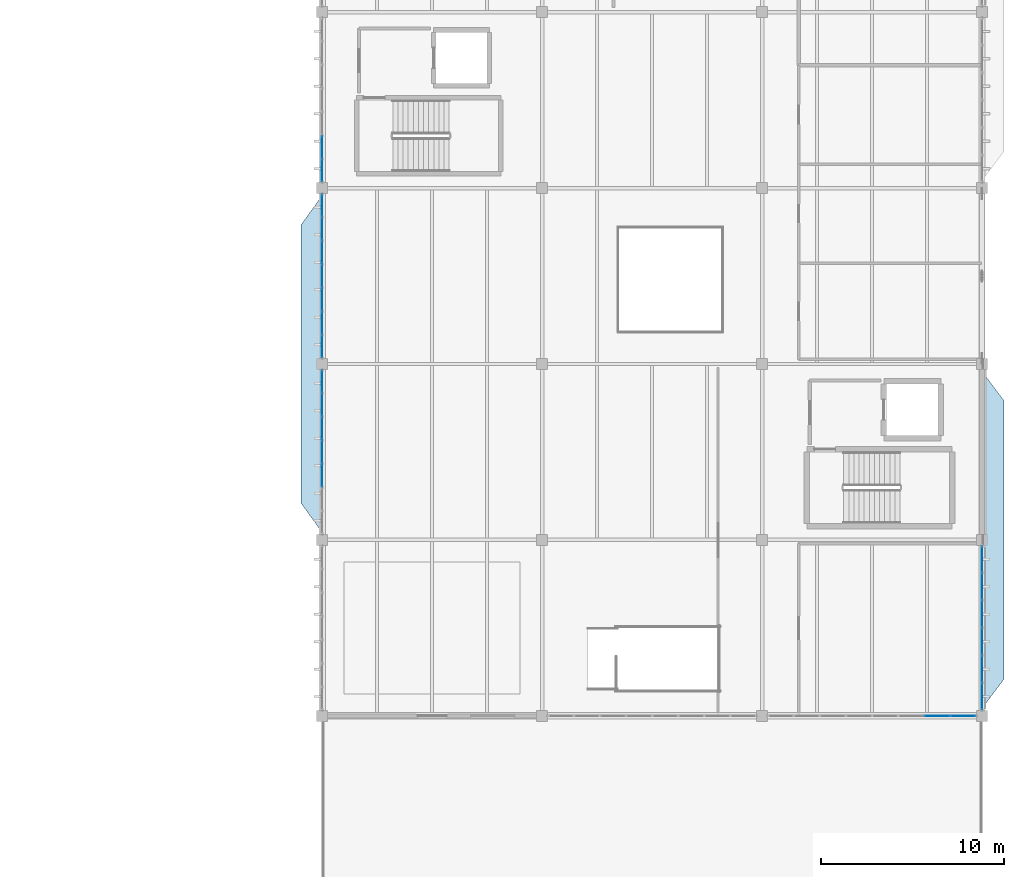
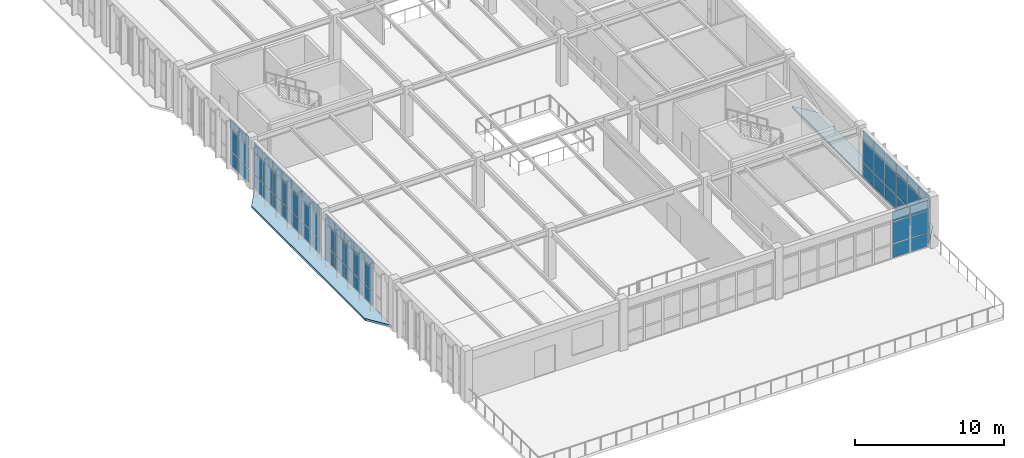
# One storey, part 64 of 83: 66 plates, 2 slabs, 5 elements without a shape of their own.
"""IFC4 building model written with IfcOpenShell, lengths in metres."""

from ifc_helpers import new_model, si_unit, direction, frame, origin, origin_2d, place, context, subcontext, project, spatial, polyline, rectangle, outline, extrude, material, layer, layer_set, type_object, element, aggregate, save


model = new_model("IFC4")

# Units and contexts
model_context = context("Model", 3, precision=1e-05, world=origin(), true_north=direction((0.0, 1.0)))
body_context = subcontext(model_context, "Body", "Model", "MODEL_VIEW")
ifc_project = project(units=[si_unit("LENGTHUNIT", "METRE"), si_unit("AREAUNIT", "SQUARE_METRE"), si_unit("VOLUMEUNIT", "CUBIC_METRE"), si_unit("PLANEANGLEUNIT", "RADIAN"), si_unit("MASSUNIT", "GRAM", prefix="KILO")], contexts=[model_context])

# Site, building, storey
site_placement = place(None, origin())
site = spatial("IfcSite", under=ifc_project, at=site_placement, CompositionType="ELEMENT")
building_placement = place(site_placement, origin())
building = spatial("IfcBuilding", under=site, at=building_placement, Name="Pandanus Reach Market Hall", CompositionType="ELEMENT")
storey_placement = place(building_placement, frame((0.0, 0.0, 10.199951171875)))
storey = spatial("IfcBuildingStorey", under=building, at=storey_placement, Name="L02", CompositionType="ELEMENT", Elevation=10.199951171875)

# Curtain wall, plates
ifc_material_1 = material(Name="Bronze anodised aluminium and low-E glass", Category="aluminium")
ifc_layer_1 = layer(ifc_material_1, 0.159912109375, Name="CW-30")
ifc_layer_set_1 = layer_set([ifc_layer_1], Name="Bronze anodised aluminium and low-E glass")
curtain_wall_type_1 = type_object("IfcCurtainWallType", Name="CW-30", PredefinedType="NOTDEFINED", material=ifc_layer_set_1)
curtain_wall_1_placement = place(storey_placement, origin())
curtain_wall_1 = element("IfcCurtainWall", 1, at=curtain_wall_1_placement, inside=storey, type_object=curtain_wall_type_1, Name="Glazed curtain wall CW-30 CW-0101", PredefinedType="NOTDEFINED")
ifc_material_2 = material(Name="Solar-control double glazing", Category="glass")
ifc_layer_2 = layer(ifc_material_2, 0.028076171875, Name="CW-P1")
ifc_layer_set_2 = layer_set([ifc_layer_2], Name="Solar-control double glazing")
plate_type = type_object("IfcPlateType", Name="CW-P1", PredefinedType="CURTAIN_PANEL", material=ifc_layer_set_2)
plate_1_placement = place(storey_placement, frame((177.5625, 19.199951171875, 0.06494140625), z_axis=(0.0, 0.0, 1.0), x_axis=(1.0, 0.0, 0.0)))
plate_1 = element("IfcPlate", 2, at=plate_1_placement, type_object=plate_type, Name="CW-30 panel 7.1", PredefinedType="CURTAIN_PANEL", context=body_context, shape_type="SweptSolid", body=[
    extrude(rectangle(XDim=1.360107421875, YDim=0.028076171875, at=origin_2d()), origin(), (0.0, 0.0, 1.0), 1.1025390625),
])
plate_2_placement = place(storey_placement, frame((177.5625, 19.199951171875, 1.232421875), z_axis=(0.0, 0.0, 1.0), x_axis=(1.0, 0.0, 0.0)))
plate_2 = element("IfcPlate", 3, at=plate_2_placement, type_object=plate_type, Name="CW-30 panel 7.2", PredefinedType="CURTAIN_PANEL", context=body_context, shape_type="SweptSolid", body=[
    extrude(rectangle(XDim=1.360107421875, YDim=0.028076171875, at=origin_2d()), origin(), (0.0, 0.0, 1.0), 1.735107421875),
])
plate_3_placement = place(storey_placement, frame((177.5625, 19.199951171875, 3.03271484375), z_axis=(0.0, 0.0, 1.0), x_axis=(1.0, 0.0, 0.0)))
plate_3 = element("IfcPlate", 4, at=plate_3_placement, type_object=plate_type, Name="CW-30 panel 7.3", PredefinedType="CURTAIN_PANEL", context=body_context, shape_type="SweptSolid", body=[
    extrude(rectangle(XDim=1.360107421875, YDim=0.028076171875, at=origin_2d()), origin(), (0.0, 0.0, 1.0), 0.802490234375),
])
plate_4_placement = place(storey_placement, frame((178.97119140625, 19.199951171875, 0.06494140625), z_axis=(0.0, 0.0, 1.0), x_axis=(1.0, 0.0, 0.0)))
plate_4 = element("IfcPlate", 5, at=plate_4_placement, type_object=plate_type, Name="CW-30 panel 8.1", PredefinedType="CURTAIN_PANEL", context=body_context, shape_type="SweptSolid", body=[
    extrude(rectangle(XDim=1.327392578125, YDim=0.028076171875, at=origin_2d()), origin(), (0.0, 0.0, 1.0), 1.1025390625),
])
plate_5_placement = place(storey_placement, frame((178.97119140625, 19.199951171875, 1.232421875), z_axis=(0.0, 0.0, 1.0), x_axis=(1.0, 0.0, 0.0)))
plate_5 = element("IfcPlate", 6, at=plate_5_placement, type_object=plate_type, Name="CW-30 panel 8.2", PredefinedType="CURTAIN_PANEL", context=body_context, shape_type="SweptSolid", body=[
    extrude(rectangle(XDim=1.327392578125, YDim=0.028076171875, at=origin_2d()), origin(), (0.0, 0.0, 1.0), 1.735107421875),
])
plate_6_placement = place(storey_placement, frame((178.97119140625, 19.199951171875, 3.03271484375), z_axis=(0.0, 0.0, 1.0), x_axis=(1.0, 0.0, 0.0)))
plate_6 = element("IfcPlate", 7, at=plate_6_placement, type_object=plate_type, Name="CW-30 panel 8.3", PredefinedType="CURTAIN_PANEL", context=body_context, shape_type="SweptSolid", body=[
    extrude(rectangle(XDim=1.327392578125, YDim=0.028076171875, at=origin_2d()), origin(), (0.0, 0.0, 1.0), 0.802490234375),
])
aggregate(curtain_wall_1, [plate_1, plate_2, plate_3, plate_4, plate_5, plate_6])

ifc_layer_3 = layer(ifc_material_1, 0.159912109375, Name="CW-32")
ifc_layer_set_3 = layer_set([ifc_layer_3], Name="Bronze anodised aluminium and low-E glass")
curtain_wall_type_2 = type_object("IfcCurtainWallType", Name="CW-32", PredefinedType="NOTDEFINED", material=ifc_layer_set_3)
curtain_wall_2_placement = place(storey_placement, origin())
curtain_wall_2 = element("IfcCurtainWall", 8, at=curtain_wall_2_placement, inside=storey, type_object=curtain_wall_type_2, Name="Glazed curtain wall CW-32 CW-0105", PredefinedType="NOTDEFINED")
plate_7_placement = place(storey_placement, frame((180.0, 20.266357421875, 0.06494140625), z_axis=(0.0, 0.0, 1.0), x_axis=(0.0, 1.0, 0.0)))
plate_7 = element("IfcPlate", 9, at=plate_7_placement, type_object=plate_type, Name="CW-32 panel 1.1", PredefinedType="CURTAIN_PANEL", context=body_context, shape_type="SweptSolid", body=[
    extrude(rectangle(XDim=1.402587890625, YDim=0.028076171875, at=origin_2d()), origin(), (0.0, 0.0, 1.0), 1.1025390625),
])
plate_8_placement = place(storey_placement, frame((180.0, 20.266357421875, 1.232421875), z_axis=(0.0, 0.0, 1.0), x_axis=(0.0, 1.0, 0.0)))
plate_8 = element("IfcPlate", 10, at=plate_8_placement, type_object=plate_type, Name="CW-32 panel 1.2", PredefinedType="CURTAIN_PANEL", context=body_context, shape_type="SweptSolid", body=[
    extrude(rectangle(XDim=1.402587890625, YDim=0.028076171875, at=origin_2d()), origin(), (0.0, 0.0, 1.0), 1.735107421875),
])
plate_9_placement = place(storey_placement, frame((180.0, 20.266357421875, 3.03271484375), z_axis=(0.0, 0.0, 1.0), x_axis=(0.0, 1.0, 0.0)))
plate_9 = element("IfcPlate", 11, at=plate_9_placement, type_object=plate_type, Name="CW-32 panel 1.3", PredefinedType="CURTAIN_PANEL", context=body_context, shape_type="SweptSolid", body=[
    extrude(rectangle(XDim=1.402587890625, YDim=0.028076171875, at=origin_2d()), origin(), (0.0, 0.0, 1.0), 0.802490234375),
])
plate_10_placement = place(storey_placement, frame((180.0, 21.75, 0.06494140625), z_axis=(0.0, 0.0, 1.0), x_axis=(0.0, 1.0, 0.0)))
plate_10 = element("IfcPlate", 12, at=plate_10_placement, type_object=plate_type, Name="CW-32 panel 2.1", PredefinedType="CURTAIN_PANEL", context=body_context, shape_type="SweptSolid", body=[
    extrude(rectangle(XDim=1.43505859375, YDim=0.028076171875, at=origin_2d()), origin(), (0.0, 0.0, 1.0), 1.1025390625),
])
plate_11_placement = place(storey_placement, frame((180.0, 21.75, 1.232421875), z_axis=(0.0, 0.0, 1.0), x_axis=(0.0, 1.0, 0.0)))
plate_11 = element("IfcPlate", 13, at=plate_11_placement, type_object=plate_type, Name="CW-32 panel 2.2", PredefinedType="CURTAIN_PANEL", context=body_context, shape_type="SweptSolid", body=[
    extrude(rectangle(XDim=1.43505859375, YDim=0.028076171875, at=origin_2d()), origin(), (0.0, 0.0, 1.0), 1.735107421875),
])
plate_12_placement = place(storey_placement, frame((180.0, 21.75, 3.03271484375), z_axis=(0.0, 0.0, 1.0), x_axis=(0.0, 1.0, 0.0)))
plate_12 = element("IfcPlate", 14, at=plate_12_placement, type_object=plate_type, Name="CW-32 panel 2.3", PredefinedType="CURTAIN_PANEL", context=body_context, shape_type="SweptSolid", body=[
    extrude(rectangle(XDim=1.43505859375, YDim=0.028076171875, at=origin_2d()), origin(), (0.0, 0.0, 1.0), 0.802490234375),
])
plate_13_placement = place(storey_placement, frame((180.0, 23.25, 0.06494140625), z_axis=(0.0, 0.0, 1.0), x_axis=(0.0, 1.0, 0.0)))
plate_13 = element("IfcPlate", 15, at=plate_13_placement, type_object=plate_type, Name="CW-32 panel 3.1", PredefinedType="CURTAIN_PANEL", context=body_context, shape_type="SweptSolid", body=[
    extrude(rectangle(XDim=1.43505859375, YDim=0.028076171875, at=origin_2d()), origin(), (0.0, 0.0, 1.0), 1.1025390625),
])
plate_14_placement = place(storey_placement, frame((180.0, 23.25, 1.232421875), z_axis=(0.0, 0.0, 1.0), x_axis=(0.0, 1.0, 0.0)))
plate_14 = element("IfcPlate", 16, at=plate_14_placement, type_object=plate_type, Name="CW-32 panel 3.2", PredefinedType="CURTAIN_PANEL", context=body_context, shape_type="SweptSolid", body=[
    extrude(rectangle(XDim=1.43505859375, YDim=0.028076171875, at=origin_2d()), origin(), (0.0, 0.0, 1.0), 1.735107421875),
])
plate_15_placement = place(storey_placement, frame((180.0, 23.25, 3.03271484375), z_axis=(0.0, 0.0, 1.0), x_axis=(0.0, 1.0, 0.0)))
plate_15 = element("IfcPlate", 17, at=plate_15_placement, type_object=plate_type, Name="CW-32 panel 3.3", PredefinedType="CURTAIN_PANEL", context=body_context, shape_type="SweptSolid", body=[
    extrude(rectangle(XDim=1.43505859375, YDim=0.028076171875, at=origin_2d()), origin(), (0.0, 0.0, 1.0), 0.802490234375),
])
plate_16_placement = place(storey_placement, frame((180.0, 24.75, 0.06494140625), z_axis=(0.0, 0.0, 1.0), x_axis=(0.0, 1.0, 0.0)))
plate_16 = element("IfcPlate", 18, at=plate_16_placement, type_object=plate_type, Name="CW-32 panel 4.1", PredefinedType="CURTAIN_PANEL", context=body_context, shape_type="SweptSolid", body=[
    extrude(rectangle(XDim=1.43505859375, YDim=0.028076171875, at=origin_2d()), origin(), (0.0, 0.0, 1.0), 1.1025390625),
])
plate_17_placement = place(storey_placement, frame((180.0, 24.75, 1.232421875), z_axis=(0.0, 0.0, 1.0), x_axis=(0.0, 1.0, 0.0)))
plate_17 = element("IfcPlate", 19, at=plate_17_placement, type_object=plate_type, Name="CW-32 panel 4.2", PredefinedType="CURTAIN_PANEL", context=body_context, shape_type="SweptSolid", body=[
    extrude(rectangle(XDim=1.43505859375, YDim=0.028076171875, at=origin_2d()), origin(), (0.0, 0.0, 1.0), 1.735107421875),
])
plate_18_placement = place(storey_placement, frame((180.0, 24.75, 3.03271484375), z_axis=(0.0, 0.0, 1.0), x_axis=(0.0, 1.0, 0.0)))
plate_18 = element("IfcPlate", 20, at=plate_18_placement, type_object=plate_type, Name="CW-32 panel 4.3", PredefinedType="CURTAIN_PANEL", context=body_context, shape_type="SweptSolid", body=[
    extrude(rectangle(XDim=1.43505859375, YDim=0.028076171875, at=origin_2d()), origin(), (0.0, 0.0, 1.0), 0.802490234375),
])
plate_19_placement = place(storey_placement, frame((180.0, 26.25, 0.06494140625), z_axis=(0.0, 0.0, 1.0), x_axis=(0.0, 1.0, 0.0)))
plate_19 = element("IfcPlate", 21, at=plate_19_placement, type_object=plate_type, Name="CW-32 panel 5.1", PredefinedType="CURTAIN_PANEL", context=body_context, shape_type="SweptSolid", body=[
    extrude(rectangle(XDim=1.43505859375, YDim=0.028076171875, at=origin_2d()), origin(), (0.0, 0.0, 1.0), 1.1025390625),
])
plate_20_placement = place(storey_placement, frame((180.0, 26.25, 1.232421875), z_axis=(0.0, 0.0, 1.0), x_axis=(0.0, 1.0, 0.0)))
plate_20 = element("IfcPlate", 22, at=plate_20_placement, type_object=plate_type, Name="CW-32 panel 5.2", PredefinedType="CURTAIN_PANEL", context=body_context, shape_type="SweptSolid", body=[
    extrude(rectangle(XDim=1.43505859375, YDim=0.028076171875, at=origin_2d()), origin(), (0.0, 0.0, 1.0), 1.735107421875),
])
plate_21_placement = place(storey_placement, frame((180.0, 26.25, 3.03271484375), z_axis=(0.0, 0.0, 1.0), x_axis=(0.0, 1.0, 0.0)))
plate_21 = element("IfcPlate", 23, at=plate_21_placement, type_object=plate_type, Name="CW-32 panel 5.3", PredefinedType="CURTAIN_PANEL", context=body_context, shape_type="SweptSolid", body=[
    extrude(rectangle(XDim=1.43505859375, YDim=0.028076171875, at=origin_2d()), origin(), (0.0, 0.0, 1.0), 0.802490234375),
])
plate_22_placement = place(storey_placement, frame((180.0, 27.733642578125, 0.06494140625), z_axis=(0.0, 0.0, 1.0), x_axis=(0.0, 1.0, 0.0)))
plate_22 = element("IfcPlate", 24, at=plate_22_placement, type_object=plate_type, Name="CW-32 panel 6.1", PredefinedType="CURTAIN_PANEL", context=body_context, shape_type="SweptSolid", body=[
    extrude(rectangle(XDim=1.402587890625, YDim=0.028076171875, at=origin_2d()), origin(), (0.0, 0.0, 1.0), 1.1025390625),
])
plate_23_placement = place(storey_placement, frame((180.0, 27.733642578125, 1.232421875), z_axis=(0.0, 0.0, 1.0), x_axis=(0.0, 1.0, 0.0)))
plate_23 = element("IfcPlate", 25, at=plate_23_placement, type_object=plate_type, Name="CW-32 panel 6.2", PredefinedType="CURTAIN_PANEL", context=body_context, shape_type="SweptSolid", body=[
    extrude(rectangle(XDim=1.402587890625, YDim=0.028076171875, at=origin_2d()), origin(), (0.0, 0.0, 1.0), 1.735107421875),
])
plate_24_placement = place(storey_placement, frame((180.0, 27.733642578125, 3.03271484375), z_axis=(0.0, 0.0, 1.0), x_axis=(0.0, 1.0, 0.0)))
plate_24 = element("IfcPlate", 26, at=plate_24_placement, type_object=plate_type, Name="CW-32 panel 6.3", PredefinedType="CURTAIN_PANEL", context=body_context, shape_type="SweptSolid", body=[
    extrude(rectangle(XDim=1.402587890625, YDim=0.028076171875, at=origin_2d()), origin(), (0.0, 0.0, 1.0), 0.802490234375),
])
aggregate(curtain_wall_2, [plate_7, plate_8, plate_9, plate_10, plate_11, plate_12, plate_13, plate_14, plate_15, plate_16, plate_17, plate_18, plate_19, plate_20, plate_21, plate_22, plate_23, plate_24])

ifc_layer_4 = layer(ifc_material_1, 0.159912109375, Name="CW-33")
ifc_layer_set_4 = layer_set([ifc_layer_4], Name="Bronze anodised aluminium and low-E glass")
curtain_wall_type_3 = type_object("IfcCurtainWallType", Name="CW-33", PredefinedType="NOTDEFINED", material=ifc_layer_set_4)
curtain_wall_3_placement = place(storey_placement, origin())
curtain_wall_3 = element("IfcCurtainWall", 27, at=curtain_wall_3_placement, inside=storey, type_object=curtain_wall_type_3, Name="Glazed curtain wall CW-33 CW-0110", PredefinedType="NOTDEFINED")
plate_25_placement = place(storey_placement, frame((144.0, 32.314208984375, 0.06494140625), z_axis=(0.0, 0.0, 1.0), x_axis=(0.0, 1.0, 0.0)))
plate_25 = element("IfcPlate", 28, at=plate_25_placement, type_object=plate_type, Name="CW-33 panel 3.1", PredefinedType="CURTAIN_PANEL", context=body_context, shape_type="SweptSolid", body=[
    extrude(rectangle(XDim=1.220703125, YDim=0.028076171875, at=origin_2d()), origin(), (0.0, 0.0, 1.0), 1.1025390625),
])
plate_26_placement = place(storey_placement, frame((144.0, 32.314208984375, 1.232421875), z_axis=(0.0, 0.0, 1.0), x_axis=(0.0, 1.0, 0.0)))
plate_26 = element("IfcPlate", 29, at=plate_26_placement, type_object=plate_type, Name="CW-33 panel 3.2", PredefinedType="CURTAIN_PANEL", context=body_context, shape_type="SweptSolid", body=[
    extrude(rectangle(XDim=1.220703125, YDim=0.028076171875, at=origin_2d()), origin(), (0.0, 0.0, 1.0), 1.735107421875),
])
plate_27_placement = place(storey_placement, frame((144.0, 32.314208984375, 3.03271484375), z_axis=(0.0, 0.0, 1.0), x_axis=(0.0, 1.0, 0.0)))
plate_27 = element("IfcPlate", 30, at=plate_27_placement, type_object=plate_type, Name="CW-33 panel 3.3", PredefinedType="CURTAIN_PANEL", context=body_context, shape_type="SweptSolid", body=[
    extrude(rectangle(XDim=1.220703125, YDim=0.028076171875, at=origin_2d()), origin(), (0.0, 0.0, 1.0), 0.802490234375),
])
plate_28_placement = place(storey_placement, frame((144.0, 33.60009765625, 0.06494140625), z_axis=(0.0, 0.0, 1.0), x_axis=(0.0, 1.0, 0.0)))
plate_28 = element("IfcPlate", 31, at=plate_28_placement, type_object=plate_type, Name="CW-33 panel 4.1", PredefinedType="CURTAIN_PANEL", context=body_context, shape_type="SweptSolid", body=[
    extrude(rectangle(XDim=1.220703125, YDim=0.028076171875, at=origin_2d()), origin(), (0.0, 0.0, 1.0), 1.1025390625),
])
plate_29_placement = place(storey_placement, frame((144.0, 33.60009765625, 1.232421875), z_axis=(0.0, 0.0, 1.0), x_axis=(0.0, 1.0, 0.0)))
plate_29 = element("IfcPlate", 32, at=plate_29_placement, type_object=plate_type, Name="CW-33 panel 4.2", PredefinedType="CURTAIN_PANEL", context=body_context, shape_type="SweptSolid", body=[
    extrude(rectangle(XDim=1.220703125, YDim=0.028076171875, at=origin_2d()), origin(), (0.0, 0.0, 1.0), 1.735107421875),
])
plate_30_placement = place(storey_placement, frame((144.0, 33.60009765625, 3.03271484375), z_axis=(0.0, 0.0, 1.0), x_axis=(0.0, 1.0, 0.0)))
plate_30 = element("IfcPlate", 33, at=plate_30_placement, type_object=plate_type, Name="CW-33 panel 4.3", PredefinedType="CURTAIN_PANEL", context=body_context, shape_type="SweptSolid", body=[
    extrude(rectangle(XDim=1.220703125, YDim=0.028076171875, at=origin_2d()), origin(), (0.0, 0.0, 1.0), 0.802490234375),
])
plate_31_placement = place(storey_placement, frame((144.0, 34.8857421875, 0.06494140625), z_axis=(0.0, 0.0, 1.0), x_axis=(0.0, 1.0, 0.0)))
plate_31 = element("IfcPlate", 34, at=plate_31_placement, type_object=plate_type, Name="CW-33 panel 5.1", PredefinedType="CURTAIN_PANEL", context=body_context, shape_type="SweptSolid", body=[
    extrude(rectangle(XDim=1.220703125, YDim=0.028076171875, at=origin_2d()), origin(), (0.0, 0.0, 1.0), 1.1025390625),
])
plate_32_placement = place(storey_placement, frame((144.0, 34.8857421875, 1.232421875), z_axis=(0.0, 0.0, 1.0), x_axis=(0.0, 1.0, 0.0)))
plate_32 = element("IfcPlate", 35, at=plate_32_placement, type_object=plate_type, Name="CW-33 panel 5.2", PredefinedType="CURTAIN_PANEL", context=body_context, shape_type="SweptSolid", body=[
    extrude(rectangle(XDim=1.220703125, YDim=0.028076171875, at=origin_2d()), origin(), (0.0, 0.0, 1.0), 1.735107421875),
])
plate_33_placement = place(storey_placement, frame((144.0, 34.8857421875, 3.03271484375), z_axis=(0.0, 0.0, 1.0), x_axis=(0.0, 1.0, 0.0)))
plate_33 = element("IfcPlate", 36, at=plate_33_placement, type_object=plate_type, Name="CW-33 panel 5.3", PredefinedType="CURTAIN_PANEL", context=body_context, shape_type="SweptSolid", body=[
    extrude(rectangle(XDim=1.220703125, YDim=0.028076171875, at=origin_2d()), origin(), (0.0, 0.0, 1.0), 0.802490234375),
])
plate_34_placement = place(storey_placement, frame((144.0, 36.17138671875, 0.06494140625), z_axis=(0.0, 0.0, 1.0), x_axis=(0.0, 1.0, 0.0)))
plate_34 = element("IfcPlate", 37, at=plate_34_placement, type_object=plate_type, Name="CW-33 panel 6.1", PredefinedType="CURTAIN_PANEL", context=body_context, shape_type="SweptSolid", body=[
    extrude(rectangle(XDim=1.220703125, YDim=0.028076171875, at=origin_2d()), origin(), (0.0, 0.0, 1.0), 1.1025390625),
])
plate_35_placement = place(storey_placement, frame((144.0, 36.17138671875, 1.232421875), z_axis=(0.0, 0.0, 1.0), x_axis=(0.0, 1.0, 0.0)))
plate_35 = element("IfcPlate", 38, at=plate_35_placement, type_object=plate_type, Name="CW-33 panel 6.2", PredefinedType="CURTAIN_PANEL", context=body_context, shape_type="SweptSolid", body=[
    extrude(rectangle(XDim=1.220703125, YDim=0.028076171875, at=origin_2d()), origin(), (0.0, 0.0, 1.0), 1.735107421875),
])
plate_36_placement = place(storey_placement, frame((144.0, 36.17138671875, 3.03271484375), z_axis=(0.0, 0.0, 1.0), x_axis=(0.0, 1.0, 0.0)))
plate_36 = element("IfcPlate", 39, at=plate_36_placement, type_object=plate_type, Name="CW-33 panel 6.3", PredefinedType="CURTAIN_PANEL", context=body_context, shape_type="SweptSolid", body=[
    extrude(rectangle(XDim=1.220703125, YDim=0.028076171875, at=origin_2d()), origin(), (0.0, 0.0, 1.0), 0.802490234375),
])
plate_37_placement = place(storey_placement, frame((144.0, 37.44091796875, 0.06494140625), z_axis=(0.0, 0.0, 1.0), x_axis=(0.0, 1.0, 0.0)))
plate_37 = element("IfcPlate", 40, at=plate_37_placement, type_object=plate_type, Name="CW-33 panel 7.1", PredefinedType="CURTAIN_PANEL", context=body_context, shape_type="SweptSolid", body=[
    extrude(rectangle(XDim=1.188232421875, YDim=0.028076171875, at=origin_2d()), origin(), (0.0, 0.0, 1.0), 1.1025390625),
])
plate_38_placement = place(storey_placement, frame((144.0, 37.44091796875, 1.232421875), z_axis=(0.0, 0.0, 1.0), x_axis=(0.0, 1.0, 0.0)))
plate_38 = element("IfcPlate", 41, at=plate_38_placement, type_object=plate_type, Name="CW-33 panel 7.2", PredefinedType="CURTAIN_PANEL", context=body_context, shape_type="SweptSolid", body=[
    extrude(rectangle(XDim=1.188232421875, YDim=0.028076171875, at=origin_2d()), origin(), (0.0, 0.0, 1.0), 1.735107421875),
])
plate_39_placement = place(storey_placement, frame((144.0, 37.44091796875, 3.03271484375), z_axis=(0.0, 0.0, 1.0), x_axis=(0.0, 1.0, 0.0)))
plate_39 = element("IfcPlate", 42, at=plate_39_placement, type_object=plate_type, Name="CW-33 panel 7.3", PredefinedType="CURTAIN_PANEL", context=body_context, shape_type="SweptSolid", body=[
    extrude(rectangle(XDim=1.188232421875, YDim=0.028076171875, at=origin_2d()), origin(), (0.0, 0.0, 1.0), 0.802490234375),
])
aggregate(curtain_wall_3, [plate_25, plate_26, plate_27, plate_28, plate_29, plate_30, plate_31, plate_32, plate_33, plate_34, plate_35, plate_36, plate_37, plate_38, plate_39])

curtain_wall_4_placement = place(storey_placement, origin())
curtain_wall_4 = element("IfcCurtainWall", 43, at=curtain_wall_4_placement, inside=storey, type_object=curtain_wall_type_3, Name="Glazed curtain wall CW-33 CW-0111", PredefinedType="NOTDEFINED")
plate_40_placement = place(storey_placement, frame((144.0, 39.359130859375, 0.06494140625), z_axis=(0.0, 0.0, 1.0), x_axis=(0.0, 1.0, 0.0)))
plate_40 = element("IfcPlate", 44, at=plate_40_placement, type_object=plate_type, Name="CW-33 panel 1.1", PredefinedType="CURTAIN_PANEL", context=body_context, shape_type="SweptSolid", body=[
    extrude(rectangle(XDim=1.188232421875, YDim=0.028076171875, at=origin_2d()), origin(), (0.0, 0.0, 1.0), 1.1025390625),
])
plate_41_placement = place(storey_placement, frame((144.0, 39.359130859375, 1.232421875), z_axis=(0.0, 0.0, 1.0), x_axis=(0.0, 1.0, 0.0)))
plate_41 = element("IfcPlate", 45, at=plate_41_placement, type_object=plate_type, Name="CW-33 panel 1.2", PredefinedType="CURTAIN_PANEL", context=body_context, shape_type="SweptSolid", body=[
    extrude(rectangle(XDim=1.188232421875, YDim=0.028076171875, at=origin_2d()), origin(), (0.0, 0.0, 1.0), 1.735107421875),
])
plate_42_placement = place(storey_placement, frame((144.0, 39.359130859375, 3.03271484375), z_axis=(0.0, 0.0, 1.0), x_axis=(0.0, 1.0, 0.0)))
plate_42 = element("IfcPlate", 46, at=plate_42_placement, type_object=plate_type, Name="CW-33 panel 1.3", PredefinedType="CURTAIN_PANEL", context=body_context, shape_type="SweptSolid", body=[
    extrude(rectangle(XDim=1.188232421875, YDim=0.028076171875, at=origin_2d()), origin(), (0.0, 0.0, 1.0), 0.802490234375),
])
plate_43_placement = place(storey_placement, frame((144.0, 40.628662109375, 0.06494140625), z_axis=(0.0, 0.0, 1.0), x_axis=(0.0, 1.0, 0.0)))
plate_43 = element("IfcPlate", 47, at=plate_43_placement, type_object=plate_type, Name="CW-33 panel 2.1", PredefinedType="CURTAIN_PANEL", context=body_context, shape_type="SweptSolid", body=[
    extrude(rectangle(XDim=1.220703125, YDim=0.028076171875, at=origin_2d()), origin(), (0.0, 0.0, 1.0), 1.1025390625),
])
plate_44_placement = place(storey_placement, frame((144.0, 40.628662109375, 1.232421875), z_axis=(0.0, 0.0, 1.0), x_axis=(0.0, 1.0, 0.0)))
plate_44 = element("IfcPlate", 48, at=plate_44_placement, type_object=plate_type, Name="CW-33 panel 2.2", PredefinedType="CURTAIN_PANEL", context=body_context, shape_type="SweptSolid", body=[
    extrude(rectangle(XDim=1.220703125, YDim=0.028076171875, at=origin_2d()), origin(), (0.0, 0.0, 1.0), 1.735107421875),
])
plate_45_placement = place(storey_placement, frame((144.0, 40.628662109375, 3.03271484375), z_axis=(0.0, 0.0, 1.0), x_axis=(0.0, 1.0, 0.0)))
plate_45 = element("IfcPlate", 49, at=plate_45_placement, type_object=plate_type, Name="CW-33 panel 2.3", PredefinedType="CURTAIN_PANEL", context=body_context, shape_type="SweptSolid", body=[
    extrude(rectangle(XDim=1.220703125, YDim=0.028076171875, at=origin_2d()), origin(), (0.0, 0.0, 1.0), 0.802490234375),
])
plate_46_placement = place(storey_placement, frame((144.0, 41.914306640625, 0.06494140625), z_axis=(0.0, 0.0, 1.0), x_axis=(0.0, 1.0, 0.0)))
plate_46 = element("IfcPlate", 50, at=plate_46_placement, type_object=plate_type, Name="CW-33 panel 3.1", PredefinedType="CURTAIN_PANEL", context=body_context, shape_type="SweptSolid", body=[
    extrude(rectangle(XDim=1.220703125, YDim=0.028076171875, at=origin_2d()), origin(), (0.0, 0.0, 1.0), 1.1025390625),
])
plate_47_placement = place(storey_placement, frame((144.0, 41.914306640625, 1.232421875), z_axis=(0.0, 0.0, 1.0), x_axis=(0.0, 1.0, 0.0)))
plate_47 = element("IfcPlate", 51, at=plate_47_placement, type_object=plate_type, Name="CW-33 panel 3.2", PredefinedType="CURTAIN_PANEL", context=body_context, shape_type="SweptSolid", body=[
    extrude(rectangle(XDim=1.220703125, YDim=0.028076171875, at=origin_2d()), origin(), (0.0, 0.0, 1.0), 1.735107421875),
])
plate_48_placement = place(storey_placement, frame((144.0, 41.914306640625, 3.03271484375), z_axis=(0.0, 0.0, 1.0), x_axis=(0.0, 1.0, 0.0)))
plate_48 = element("IfcPlate", 52, at=plate_48_placement, type_object=plate_type, Name="CW-33 panel 3.3", PredefinedType="CURTAIN_PANEL", context=body_context, shape_type="SweptSolid", body=[
    extrude(rectangle(XDim=1.220703125, YDim=0.028076171875, at=origin_2d()), origin(), (0.0, 0.0, 1.0), 0.802490234375),
])
plate_49_placement = place(storey_placement, frame((144.0, 43.199951171875, 0.06494140625), z_axis=(0.0, 0.0, 1.0), x_axis=(0.0, 1.0, 0.0)))
plate_49 = element("IfcPlate", 53, at=plate_49_placement, type_object=plate_type, Name="CW-33 panel 4.1", PredefinedType="CURTAIN_PANEL", context=body_context, shape_type="SweptSolid", body=[
    extrude(rectangle(XDim=1.220703125, YDim=0.028076171875, at=origin_2d()), origin(), (0.0, 0.0, 1.0), 1.1025390625),
])
plate_50_placement = place(storey_placement, frame((144.0, 43.199951171875, 1.232421875), z_axis=(0.0, 0.0, 1.0), x_axis=(0.0, 1.0, 0.0)))
plate_50 = element("IfcPlate", 54, at=plate_50_placement, type_object=plate_type, Name="CW-33 panel 4.2", PredefinedType="CURTAIN_PANEL", context=body_context, shape_type="SweptSolid", body=[
    extrude(rectangle(XDim=1.220703125, YDim=0.028076171875, at=origin_2d()), origin(), (0.0, 0.0, 1.0), 1.735107421875),
])
plate_51_placement = place(storey_placement, frame((144.0, 43.199951171875, 3.03271484375), z_axis=(0.0, 0.0, 1.0), x_axis=(0.0, 1.0, 0.0)))
plate_51 = element("IfcPlate", 55, at=plate_51_placement, type_object=plate_type, Name="CW-33 panel 4.3", PredefinedType="CURTAIN_PANEL", context=body_context, shape_type="SweptSolid", body=[
    extrude(rectangle(XDim=1.220703125, YDim=0.028076171875, at=origin_2d()), origin(), (0.0, 0.0, 1.0), 0.802490234375),
])
plate_52_placement = place(storey_placement, frame((144.0, 44.485595703125, 0.06494140625), z_axis=(0.0, 0.0, 1.0), x_axis=(0.0, 1.0, 0.0)))
plate_52 = element("IfcPlate", 56, at=plate_52_placement, type_object=plate_type, Name="CW-33 panel 5.1", PredefinedType="CURTAIN_PANEL", context=body_context, shape_type="SweptSolid", body=[
    extrude(rectangle(XDim=1.220703125, YDim=0.028076171875, at=origin_2d()), origin(), (0.0, 0.0, 1.0), 1.1025390625),
])
plate_53_placement = place(storey_placement, frame((144.0, 44.485595703125, 1.232421875), z_axis=(0.0, 0.0, 1.0), x_axis=(0.0, 1.0, 0.0)))
plate_53 = element("IfcPlate", 57, at=plate_53_placement, type_object=plate_type, Name="CW-33 panel 5.2", PredefinedType="CURTAIN_PANEL", context=body_context, shape_type="SweptSolid", body=[
    extrude(rectangle(XDim=1.220703125, YDim=0.028076171875, at=origin_2d()), origin(), (0.0, 0.0, 1.0), 1.735107421875),
])
plate_54_placement = place(storey_placement, frame((144.0, 44.485595703125, 3.03271484375), z_axis=(0.0, 0.0, 1.0), x_axis=(0.0, 1.0, 0.0)))
plate_54 = element("IfcPlate", 58, at=plate_54_placement, type_object=plate_type, Name="CW-33 panel 5.3", PredefinedType="CURTAIN_PANEL", context=body_context, shape_type="SweptSolid", body=[
    extrude(rectangle(XDim=1.220703125, YDim=0.028076171875, at=origin_2d()), origin(), (0.0, 0.0, 1.0), 0.802490234375),
])
plate_55_placement = place(storey_placement, frame((144.0, 45.771484375, 0.06494140625), z_axis=(0.0, 0.0, 1.0), x_axis=(0.0, 1.0, 0.0)))
plate_55 = element("IfcPlate", 59, at=plate_55_placement, type_object=plate_type, Name="CW-33 panel 6.1", PredefinedType="CURTAIN_PANEL", context=body_context, shape_type="SweptSolid", body=[
    extrude(rectangle(XDim=1.220703125, YDim=0.028076171875, at=origin_2d()), origin(), (0.0, 0.0, 1.0), 1.1025390625),
])
plate_56_placement = place(storey_placement, frame((144.0, 45.771484375, 1.232421875), z_axis=(0.0, 0.0, 1.0), x_axis=(0.0, 1.0, 0.0)))
plate_56 = element("IfcPlate", 60, at=plate_56_placement, type_object=plate_type, Name="CW-33 panel 6.2", PredefinedType="CURTAIN_PANEL", context=body_context, shape_type="SweptSolid", body=[
    extrude(rectangle(XDim=1.220703125, YDim=0.028076171875, at=origin_2d()), origin(), (0.0, 0.0, 1.0), 1.735107421875),
])
plate_57_placement = place(storey_placement, frame((144.0, 45.771484375, 3.03271484375), z_axis=(0.0, 0.0, 1.0), x_axis=(0.0, 1.0, 0.0)))
plate_57 = element("IfcPlate", 61, at=plate_57_placement, type_object=plate_type, Name="CW-33 panel 6.3", PredefinedType="CURTAIN_PANEL", context=body_context, shape_type="SweptSolid", body=[
    extrude(rectangle(XDim=1.220703125, YDim=0.028076171875, at=origin_2d()), origin(), (0.0, 0.0, 1.0), 0.802490234375),
])
plate_58_placement = place(storey_placement, frame((144.0, 47.040771484375, 0.06494140625), z_axis=(0.0, 0.0, 1.0), x_axis=(0.0, 1.0, 0.0)))
plate_58 = element("IfcPlate", 62, at=plate_58_placement, type_object=plate_type, Name="CW-33 panel 7.1", PredefinedType="CURTAIN_PANEL", context=body_context, shape_type="SweptSolid", body=[
    extrude(rectangle(XDim=1.188232421875, YDim=0.028076171875, at=origin_2d()), origin(), (0.0, 0.0, 1.0), 1.1025390625),
])
plate_59_placement = place(storey_placement, frame((144.0, 47.040771484375, 1.232421875), z_axis=(0.0, 0.0, 1.0), x_axis=(0.0, 1.0, 0.0)))
plate_59 = element("IfcPlate", 63, at=plate_59_placement, type_object=plate_type, Name="CW-33 panel 7.2", PredefinedType="CURTAIN_PANEL", context=body_context, shape_type="SweptSolid", body=[
    extrude(rectangle(XDim=1.188232421875, YDim=0.028076171875, at=origin_2d()), origin(), (0.0, 0.0, 1.0), 1.735107421875),
])
plate_60_placement = place(storey_placement, frame((144.0, 47.040771484375, 3.03271484375), z_axis=(0.0, 0.0, 1.0), x_axis=(0.0, 1.0, 0.0)))
plate_60 = element("IfcPlate", 64, at=plate_60_placement, type_object=plate_type, Name="CW-33 panel 7.3", PredefinedType="CURTAIN_PANEL", context=body_context, shape_type="SweptSolid", body=[
    extrude(rectangle(XDim=1.188232421875, YDim=0.028076171875, at=origin_2d()), origin(), (0.0, 0.0, 1.0), 0.802490234375),
])
aggregate(curtain_wall_4, [plate_40, plate_41, plate_42, plate_43, plate_44, plate_45, plate_46, plate_47, plate_48, plate_49, plate_50, plate_51, plate_52, plate_53, plate_54, plate_55, plate_56, plate_57, plate_58, plate_59, plate_60])

curtain_wall_5_placement = place(storey_placement, origin())
curtain_wall_5 = element("IfcCurtainWall", 65, at=curtain_wall_5_placement, inside=storey, type_object=curtain_wall_type_3, Name="Glazed curtain wall CW-33 CW-0112", PredefinedType="NOTDEFINED")
plate_61_placement = place(storey_placement, frame((144.0, 48.959228515625, 0.06494140625), z_axis=(0.0, 0.0, 1.0), x_axis=(0.0, 1.0, 0.0)))
plate_61 = element("IfcPlate", 66, at=plate_61_placement, type_object=plate_type, Name="CW-33 panel 1.1", PredefinedType="CURTAIN_PANEL", context=body_context, shape_type="SweptSolid", body=[
    extrude(rectangle(XDim=1.188232421875, YDim=0.028076171875, at=origin_2d()), origin(), (0.0, 0.0, 1.0), 1.1025390625),
])
plate_62_placement = place(storey_placement, frame((144.0, 48.959228515625, 1.232421875), z_axis=(0.0, 0.0, 1.0), x_axis=(0.0, 1.0, 0.0)))
plate_62 = element("IfcPlate", 67, at=plate_62_placement, type_object=plate_type, Name="CW-33 panel 1.2", PredefinedType="CURTAIN_PANEL", context=body_context, shape_type="SweptSolid", body=[
    extrude(rectangle(XDim=1.188232421875, YDim=0.028076171875, at=origin_2d()), origin(), (0.0, 0.0, 1.0), 1.735107421875),
])
plate_63_placement = place(storey_placement, frame((144.0, 48.959228515625, 3.03271484375), z_axis=(0.0, 0.0, 1.0), x_axis=(0.0, 1.0, 0.0)))
plate_63 = element("IfcPlate", 68, at=plate_63_placement, type_object=plate_type, Name="CW-33 panel 1.3", PredefinedType="CURTAIN_PANEL", context=body_context, shape_type="SweptSolid", body=[
    extrude(rectangle(XDim=1.188232421875, YDim=0.028076171875, at=origin_2d()), origin(), (0.0, 0.0, 1.0), 0.802490234375),
])
plate_64_placement = place(storey_placement, frame((144.0, 50.228515625, 0.06494140625), z_axis=(0.0, 0.0, 1.0), x_axis=(0.0, 1.0, 0.0)))
plate_64 = element("IfcPlate", 69, at=plate_64_placement, type_object=plate_type, Name="CW-33 panel 2.1", PredefinedType="CURTAIN_PANEL", context=body_context, shape_type="SweptSolid", body=[
    extrude(rectangle(XDim=1.220703125, YDim=0.028076171875, at=origin_2d()), origin(), (0.0, 0.0, 1.0), 1.1025390625),
])
plate_65_placement = place(storey_placement, frame((144.0, 50.228515625, 1.232421875), z_axis=(0.0, 0.0, 1.0), x_axis=(0.0, 1.0, 0.0)))
plate_65 = element("IfcPlate", 70, at=plate_65_placement, type_object=plate_type, Name="CW-33 panel 2.2", PredefinedType="CURTAIN_PANEL", context=body_context, shape_type="SweptSolid", body=[
    extrude(rectangle(XDim=1.220703125, YDim=0.028076171875, at=origin_2d()), origin(), (0.0, 0.0, 1.0), 1.735107421875),
])
plate_66_placement = place(storey_placement, frame((144.0, 50.228515625, 3.03271484375), z_axis=(0.0, 0.0, 1.0), x_axis=(0.0, 1.0, 0.0)))
plate_66 = element("IfcPlate", 71, at=plate_66_placement, type_object=plate_type, Name="CW-33 panel 2.3", PredefinedType="CURTAIN_PANEL", context=body_context, shape_type="SweptSolid", body=[
    extrude(rectangle(XDim=1.220703125, YDim=0.028076171875, at=origin_2d()), origin(), (0.0, 0.0, 1.0), 0.802490234375),
])
aggregate(curtain_wall_5, [plate_61, plate_62, plate_63, plate_64, plate_65, plate_66])

# Slabs
ifc_material_3 = material(Name="Concrete N50 (50 MPa)", Category="concrete")
ifc_layer_5 = layer(ifc_material_3, 0.179931640625, Name="RF-CNP-180")
ifc_layer_set_5 = layer_set([ifc_layer_5], Name="Concrete N50 (50 MPa)")
slab_type = type_object("IfcSlabType", Name="RF-CNP-180", PredefinedType="ROOF", material=ifc_layer_set_5)
slab_1_placement = place(storey_placement, frame((0.0, 0.0, -0.179931640625)))
element("IfcSlab", 72, at=slab_1_placement, inside=storey, type_object=slab_type, Name="Sculpted concrete brise-soleil hood 11", PredefinedType="ROOF", context=body_context, shape_type="SweptSolid", body=[
    extrude(outline(polyline([(180.0, 19.60009765625), (180.0, 38.0), (181.199951171875, 36.39990234375), (181.199951171875, 21.199951171875), (180.0, 19.60009765625)])), origin(), (0.0, 0.0, 1.0), 0.179931640625),
])
slab_2_placement = place(storey_placement, frame((0.0, 0.0, -0.179931640625)))
element("IfcSlab", 73, at=slab_2_placement, inside=storey, type_object=slab_type, Name="Sculpted concrete brise-soleil hood 20", PredefinedType="ROOF", context=body_context, shape_type="SweptSolid", body=[
    extrude(outline(polyline([(144.0, 29.199951171875), (144.0, 47.60009765625), (142.85009765625, 46.0), (142.85009765625, 30.800048828125), (144.0, 29.199951171875)])), origin(), (0.0, 0.0, 1.0), 0.179931640625),
])

save(model, "model.ifc")
